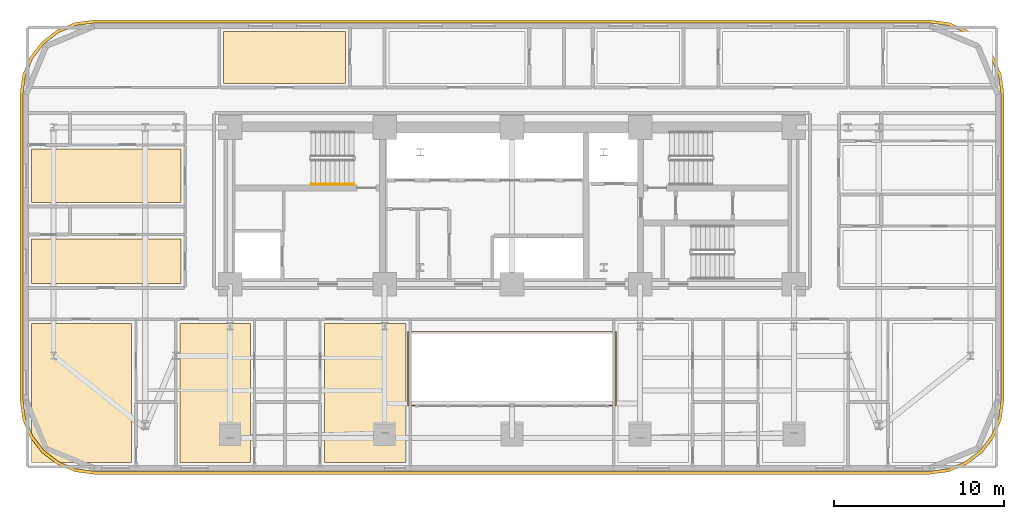
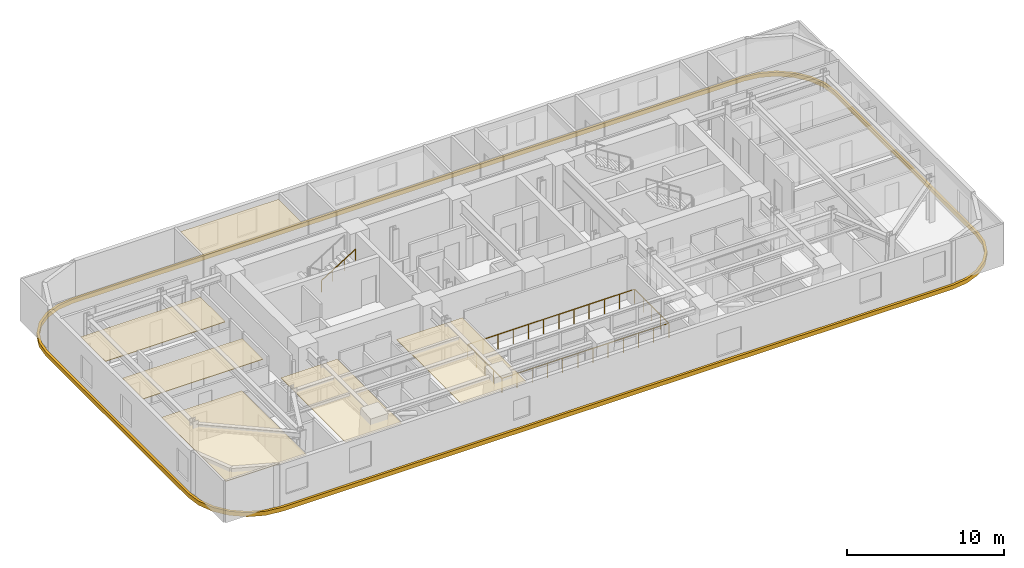
# One storey, part 14 of 16: 7 coverings, 2 railings.
"""IFC4 building model written with IfcOpenShell, lengths in metres."""

from ifc_helpers import new_model, si_unit, direction, frame, origin, origin_2d, place, context, subcontext, project, spatial, polyline, rectangle, outline, extrude, material, layer, layer_set, type_object, element, save


model = new_model("IFC4")

# Units and contexts
model_context = context("Model", 3, precision=1e-05, world=origin(), true_north=direction((0.0, 1.0)))
body_context = subcontext(model_context, "Body", "Model", "MODEL_VIEW")
ifc_project = project(units=[si_unit("LENGTHUNIT", "METRE"), si_unit("AREAUNIT", "SQUARE_METRE"), si_unit("VOLUMEUNIT", "CUBIC_METRE"), si_unit("PLANEANGLEUNIT", "RADIAN"), si_unit("MASSUNIT", "GRAM", prefix="KILO")], contexts=[model_context])

# Site, building, storey
site_placement = place(None, origin())
site = spatial("IfcSite", under=ifc_project, at=site_placement, CompositionType="ELEMENT")
building_placement = place(site_placement, origin())
building = spatial("IfcBuilding", under=site, at=building_placement, Name="Zarnavel Station Tower", CompositionType="ELEMENT")
storey_placement = place(building_placement, frame((0.0, 0.0, 79.300048828125)))
storey = spatial("IfcBuildingStorey", under=building, at=storey_placement, Name="L21", CompositionType="ELEMENT", Elevation=79.300048828125)

# Coverings
ifc_material_1 = material(Name="Perforated Gypsum and Mineral-Wool Acoustic Ceiling", Category="concrete")
ifc_layer = layer(ifc_material_1, 0.0400390625)
ifc_layer_set = layer_set([ifc_layer], Name="COV_CEIL_ACOUSTIC")
covering_type_1 = type_object("IfcCoveringType", Name="COV_CEIL_ACOUSTIC", PredefinedType="CEILING", material=ifc_layer_set)
covering_1_placement = place(storey_placement, frame((0.0, 0.0, 2.919921875)))
element("IfcCovering", 1, at=covering_1_placement, inside=storey, type_object=covering_type_1, Name="L21 FNW1R Acoustic Ceiling", PredefinedType="CEILING", context=body_context, shape_type="SweptSolid", body=[
    extrude(outline(polyline([(0.510009765625, 27.85009765625), (9.300048828125, 27.85009765625), (9.300048828125, 30.490966796875), (0.510009765625, 30.490966796875), (0.510009765625, 27.85009765625)])), origin(), (0.0, 0.0, 1.0), 0.0400390625),
])
covering_2_placement = place(storey_placement, frame((0.0, 0.0, 2.919921875)))
element("IfcCovering", 2, at=covering_2_placement, inside=storey, type_object=covering_type_1, Name="L21 FNW2R Acoustic Ceiling", PredefinedType="CEILING", context=body_context, shape_type="SweptSolid", body=[
    extrude(outline(polyline([(0.510009765625, 32.64111328125), (9.300048828125, 32.64111328125), (9.300048828125, 35.777099609375), (0.510009765625, 35.777099609375), (0.510009765625, 32.64111328125)])), origin(), (0.0, 0.0, 1.0), 0.0400390625),
])
covering_3_placement = place(storey_placement, frame((0.0, 0.0, 2.919921875)))
element("IfcCovering", 3, at=covering_3_placement, inside=storey, type_object=covering_type_1, Name="L21 HN1R Acoustic Ceiling", PredefinedType="CEILING", context=body_context, shape_type="SweptSolid", body=[
    extrude(outline(polyline([(11.81005859375, 39.64990234375), (19.0, 39.64990234375), (19.0, 42.68994140625), (11.81005859375, 42.68994140625), (11.81005859375, 39.64990234375)])), origin(), (0.0, 0.0, 1.0), 0.0400390625),
])
covering_4_placement = place(storey_placement, frame((0.0, 0.0, 2.919921875)))
element("IfcCovering", 4, at=covering_4_placement, inside=storey, type_object=covering_type_1, Name="L21 HW1R Acoustic Ceiling", PredefinedType="CEILING", context=body_context, shape_type="SweptSolid", body=[
    extrude(outline(polyline([(0.510009765625, 17.31005859375), (6.39990234375, 17.31005859375), (6.39990234375, 25.5), (0.510009765625, 25.5), (0.510009765625, 17.31005859375)])), origin(), (0.0, 0.0, 1.0), 0.0400390625),
])
covering_5_placement = place(storey_placement, frame((0.0, 0.0, 2.919921875)))
element("IfcCovering", 5, at=covering_5_placement, inside=storey, type_object=covering_type_1, Name="L21 HW2R Acoustic Ceiling", PredefinedType="CEILING", context=body_context, shape_type="SweptSolid", body=[
    extrude(outline(polyline([(9.25, 17.31005859375), (13.386962890625, 17.31005859375), (13.386962890625, 25.5), (9.25, 25.5), (9.25, 17.31005859375)])), origin(), (0.0, 0.0, 1.0), 0.0400390625),
])
covering_6_placement = place(storey_placement, frame((0.0, 0.0, 2.919921875)))
element("IfcCovering", 6, at=covering_6_placement, inside=storey, type_object=covering_type_1, Name="L21 HW3R Acoustic Ceiling", PredefinedType="CEILING", context=body_context, shape_type="SweptSolid", body=[
    extrude(outline(polyline([(17.7509765625, 17.31005859375), (22.550048828125, 17.31005859375), (22.550048828125, 25.5), (17.7509765625, 25.5), (17.7509765625, 17.31005859375)])), origin(), (0.0, 0.0, 1.0), 0.0400390625),
])
ifc_material_2 = material(Name="Precast concrete C45/55 (Pale Travertine Slab Band)", Category="masonry")
covering_type_2 = type_object("IfcCoveringType", Name="COV_TRAVERTINE_BAND", PredefinedType="CLADDING", material=ifc_material_2)
covering_7_placement = place(storey_placement, frame((0.0, 0.0, -0.260009765625)))
element("IfcCovering", 7, at=covering_7_placement, inside=storey, type_object=covering_type_2, Name="L21 Pale Travertine Slab-Edge Band", PredefinedType="CLADDING", context=body_context, shape_type="SweptSolid", body=[
    extrude(outline(polyline([(53.39990234375, 16.6201171875), (54.53369140625, 16.769287109375), (55.590087890625, 17.206787109375), (56.4970703125, 17.90283203125), (57.193115234375, 18.81005859375), (57.630859375, 19.866455078125), (57.780029296875, 21.0), (57.780029296875, 39.0), (57.630859375, 40.133544921875), (57.193115234375, 41.18994140625), (56.4970703125, 42.09716796875), (55.590087890625, 42.793212890625), (54.53369140625, 43.230712890625), (53.39990234375, 43.3798828125), (4.199951171875, 43.3798828125), (3.06640625, 43.230712890625), (2.010009765625, 42.793212890625), (1.102783203125, 42.09716796875), (0.40673828125, 41.18994140625), (-0.03076171875, 40.133544921875), (-0.179931640625, 39.0), (-0.179931640625, 21.0), (-0.03076171875, 19.866455078125), (0.40673828125, 18.81005859375), (1.102783203125, 17.90283203125), (2.010009765625, 17.206787109375), (3.06640625, 16.769287109375), (4.199951171875, 16.6201171875), (53.39990234375, 16.6201171875)]), holes=[polyline([(53.39990234375, 16.800048828125), (54.487060546875, 16.943115234375), (55.5, 17.36279296875), (56.369873046875, 18.0302734375), (57.037353515625, 18.89990234375), (57.456787109375, 19.9130859375), (57.60009765625, 21.0), (57.60009765625, 39.0), (57.456787109375, 40.0869140625), (57.037353515625, 41.10009765625), (56.369873046875, 41.9697265625), (55.5, 42.63720703125), (54.487060546875, 43.056884765625), (53.39990234375, 43.199951171875), (4.199951171875, 43.199951171875), (3.113037109375, 43.056884765625), (2.10009765625, 42.63720703125), (1.230224609375, 41.9697265625), (0.562744140625, 41.10009765625), (0.14306640625, 40.0869140625), (0.0, 39.0), (0.0, 21.0), (0.14306640625, 19.9130859375), (0.562744140625, 18.89990234375), (1.230224609375, 18.0302734375), (2.10009765625, 17.36279296875), (3.113037109375, 16.943115234375), (4.199951171875, 16.800048828125), (53.39990234375, 16.800048828125)])]), origin(), (0.0, 0.0, 1.0), 0.320068359375),
])

# Railings
ifc_material_3 = material(Name="Painted Steel S355J2 Balustrade", Category="steel")
railing_type_1 = type_object("IfcRailingType", Name="GR_INT_1150", PredefinedType="GUARDRAIL", material=ifc_material_3)
railing_1_placement = place(storey_placement, frame((22.679931640625, 20.679931640625, 0.0)))
element("IfcRailing", 8, at=railing_1_placement, inside=storey, type_object=railing_type_1, Name="L21 Atrium Void Guardrail", PredefinedType="GUARDRAIL", context=body_context, shape_type="SweptSolid", body=[
    extrude(rectangle(XDim=0.048095703125, YDim=0.048095703125, at=origin_2d()), frame((0.001953125, 0.0, 1.1259765625), z_axis=(1.0, 0.0, 0.0), x_axis=(0.0, 1.0, 0.0)), (0.0, 0.0, 1.0), 12.236083984375),
    extrude(rectangle(XDim=0.048095703125, YDim=0.048095703125, at=origin_2d()), frame((12.239990234375, 0.001953125, 1.1259765625), z_axis=(0.0, 1.0, 0.0), x_axis=(-1.0, 0.0, 0.0)), (0.0, 0.0, 1.0), 4.336181640625),
    extrude(rectangle(XDim=0.048095703125, YDim=0.048095703125, at=origin_2d()), frame((12.238037109375, 4.340087890625, 1.1259765625), z_axis=(-1.0, 0.0, 0.0), x_axis=(0.0, -1.0, 0.0)), (0.0, 0.0, 1.0), 12.236083984375),
    extrude(rectangle(XDim=0.048095703125, YDim=0.048095703125, at=origin_2d()), frame((0.0, 4.338134765625, 1.1259765625), z_axis=(0.0, -1.0, 0.0), x_axis=(1.0, 0.0, 0.0)), (0.0, 0.0, 1.0), 4.336181640625),
    extrude(rectangle(XDim=0.0419921875, YDim=0.0419921875, at=origin_2d()), origin(), (0.0, 0.0, 1.0), 1.101806640625),
    extrude(rectangle(XDim=0.0419921875, YDim=0.0419921875, at=origin_2d()), frame((1.11279296875, 0.0, 0.0)), (0.0, 0.0, 1.0), 1.101806640625),
    extrude(rectangle(XDim=0.0419921875, YDim=0.0419921875, at=origin_2d()), frame((2.225341796875, 0.0, 0.0)), (0.0, 0.0, 1.0), 1.101806640625),
    extrude(rectangle(XDim=0.0419921875, YDim=0.0419921875, at=origin_2d()), frame((3.338134765625, 0.0, 0.0)), (0.0, 0.0, 1.0), 1.101806640625),
    extrude(rectangle(XDim=0.0419921875, YDim=0.0419921875, at=origin_2d()), frame((4.450927734375, 0.0, 0.0)), (0.0, 0.0, 1.0), 1.101806640625),
    extrude(rectangle(XDim=0.0419921875, YDim=0.0419921875, at=origin_2d()), frame((5.563720703125, 0.0, 0.0)), (0.0, 0.0, 1.0), 1.101806640625),
    extrude(rectangle(XDim=0.0419921875, YDim=0.0419921875, at=origin_2d()), frame((6.67626953125, 0.0, 0.0)), (0.0, 0.0, 1.0), 1.101806640625),
    extrude(rectangle(XDim=0.0419921875, YDim=0.0419921875, at=origin_2d()), frame((7.7890625, 0.0, 0.0)), (0.0, 0.0, 1.0), 1.101806640625),
    extrude(rectangle(XDim=0.0419921875, YDim=0.0419921875, at=origin_2d()), frame((8.90185546875, 0.0, 0.0)), (0.0, 0.0, 1.0), 1.101806640625),
    extrude(rectangle(XDim=0.0419921875, YDim=0.0419921875, at=origin_2d()), frame((10.0146484375, 0.0, 0.0)), (0.0, 0.0, 1.0), 1.101806640625),
    extrude(rectangle(XDim=0.0419921875, YDim=0.0419921875, at=origin_2d()), frame((11.127197265625, 0.0, 0.0)), (0.0, 0.0, 1.0), 1.101806640625),
    extrude(rectangle(XDim=0.0419921875, YDim=0.0419921875, at=origin_2d()), frame((12.239990234375, 0.0, 0.0)), (0.0, 0.0, 1.0), 1.101806640625),
    extrude(rectangle(XDim=0.0419921875, YDim=0.0419921875, at=origin_2d()), frame((12.239990234375, 1.0849609375, 0.0)), (0.0, 0.0, 1.0), 1.101806640625),
    extrude(rectangle(XDim=0.0419921875, YDim=0.0419921875, at=origin_2d()), frame((12.239990234375, 2.169921875, 0.0)), (0.0, 0.0, 1.0), 1.101806640625),
    extrude(rectangle(XDim=0.0419921875, YDim=0.0419921875, at=origin_2d()), frame((12.239990234375, 3.255126953125, 0.0)), (0.0, 0.0, 1.0), 1.101806640625),
    extrude(rectangle(XDim=0.0419921875, YDim=0.0419921875, at=origin_2d()), frame((12.239990234375, 4.340087890625, 0.0)), (0.0, 0.0, 1.0), 1.101806640625),
    extrude(rectangle(XDim=0.0419921875, YDim=0.0419921875, at=origin_2d()), frame((11.127197265625, 4.340087890625, 0.0)), (0.0, 0.0, 1.0), 1.101806640625),
    extrude(rectangle(XDim=0.0419921875, YDim=0.0419921875, at=origin_2d()), frame((10.0146484375, 4.340087890625, 0.0)), (0.0, 0.0, 1.0), 1.101806640625),
    extrude(rectangle(XDim=0.0419921875, YDim=0.0419921875, at=origin_2d()), frame((8.90185546875, 4.340087890625, 0.0)), (0.0, 0.0, 1.0), 1.101806640625),
    extrude(rectangle(XDim=0.0419921875, YDim=0.0419921875, at=origin_2d()), frame((7.7890625, 4.340087890625, 0.0)), (0.0, 0.0, 1.0), 1.101806640625),
    extrude(rectangle(XDim=0.0419921875, YDim=0.0419921875, at=origin_2d()), frame((6.67626953125, 4.340087890625, 0.0)), (0.0, 0.0, 1.0), 1.101806640625),
    extrude(rectangle(XDim=0.0419921875, YDim=0.0419921875, at=origin_2d()), frame((5.563720703125, 4.340087890625, 0.0)), (0.0, 0.0, 1.0), 1.101806640625),
    extrude(rectangle(XDim=0.0419921875, YDim=0.0419921875, at=origin_2d()), frame((4.450927734375, 4.340087890625, 0.0)), (0.0, 0.0, 1.0), 1.101806640625),
    extrude(rectangle(XDim=0.0419921875, YDim=0.0419921875, at=origin_2d()), frame((3.338134765625, 4.340087890625, 0.0)), (0.0, 0.0, 1.0), 1.101806640625),
    extrude(rectangle(XDim=0.0419921875, YDim=0.0419921875, at=origin_2d()), frame((2.225341796875, 4.340087890625, 0.0)), (0.0, 0.0, 1.0), 1.101806640625),
    extrude(rectangle(XDim=0.0419921875, YDim=0.0419921875, at=origin_2d()), frame((1.11279296875, 4.340087890625, 0.0)), (0.0, 0.0, 1.0), 1.101806640625),
    extrude(rectangle(XDim=0.0419921875, YDim=0.0419921875, at=origin_2d()), frame((0.0, 4.340087890625, 0.0)), (0.0, 0.0, 1.0), 1.101806640625),
    extrude(rectangle(XDim=0.0419921875, YDim=0.0419921875, at=origin_2d()), frame((0.0, 3.255126953125, 0.0)), (0.0, 0.0, 1.0), 1.101806640625),
    extrude(rectangle(XDim=0.0419921875, YDim=0.0419921875, at=origin_2d()), frame((0.0, 2.169921875, 0.0)), (0.0, 0.0, 1.0), 1.101806640625),
    extrude(rectangle(XDim=0.0419921875, YDim=0.0419921875, at=origin_2d()), frame((0.0, 1.0849609375, 0.0)), (0.0, 0.0, 1.0), 1.101806640625),
])
ifc_material_4 = material(Name="Brushed Stainless Steel S355J2 Handrail", Category="steel")
railing_type_2 = type_object("IfcRailingType", Name="HR_STAIR_900", PredefinedType="HANDRAIL", material=ifc_material_4)
railing_2_placement = place(storey_placement, frame((16.9599609375, 33.7099609375, 1.925048828125)))
element("IfcRailing", 9, at=railing_2_placement, inside=storey, type_object=railing_type_2, Name="L21 ST1 stair handrail 2", PredefinedType="HANDRAIL", context=body_context, shape_type="SweptSolid", body=[
    extrude(rectangle(XDim=0.048095703125, YDim=0.048095703125, at=origin_2d()), frame((0.001708984375, 0.0, 0.876953125), z_axis=(0.848007534815, 0.0, 0.529984170421), x_axis=(0.0, 1.0, 0.0)), (0.0, 0.0, 1.0), 2.9677734375),
    extrude(rectangle(XDim=0.0419921875, YDim=0.0419921875, at=origin_2d()), origin(), (0.0, 0.0, 1.0), 0.851806640625),
    extrude(rectangle(XDim=0.0419921875, YDim=0.0419921875, at=origin_2d()), frame((0.840087890625, 0.0, 0.52490234375)), (0.0, 0.0, 1.0), 0.851806640625),
    extrude(rectangle(XDim=0.0419921875, YDim=0.0419921875, at=origin_2d()), frame((1.679931640625, 0.0, 1.050048828125)), (0.0, 0.0, 1.0), 0.851806640625),
    extrude(rectangle(XDim=0.0419921875, YDim=0.0419921875, at=origin_2d()), frame((2.52001953125, 0.0, 1.574951171875)), (0.0, 0.0, 1.0), 0.851806640625),
])

save(model, "model.ifc")
